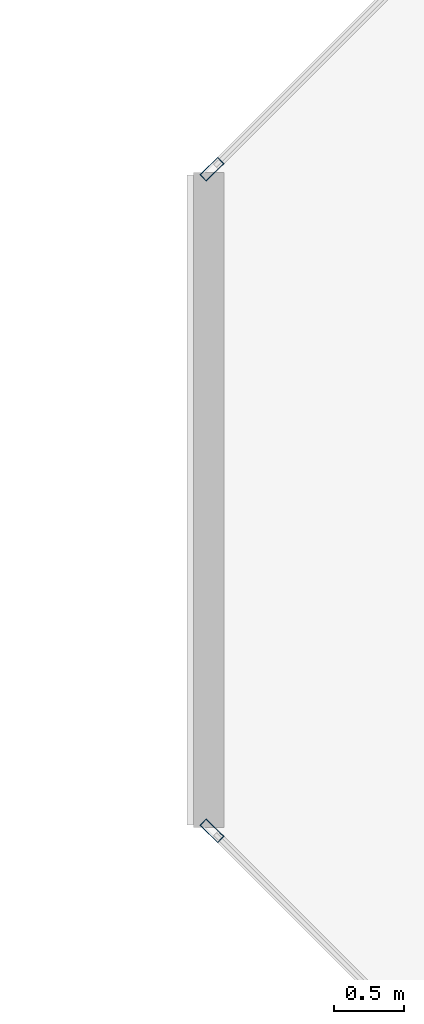
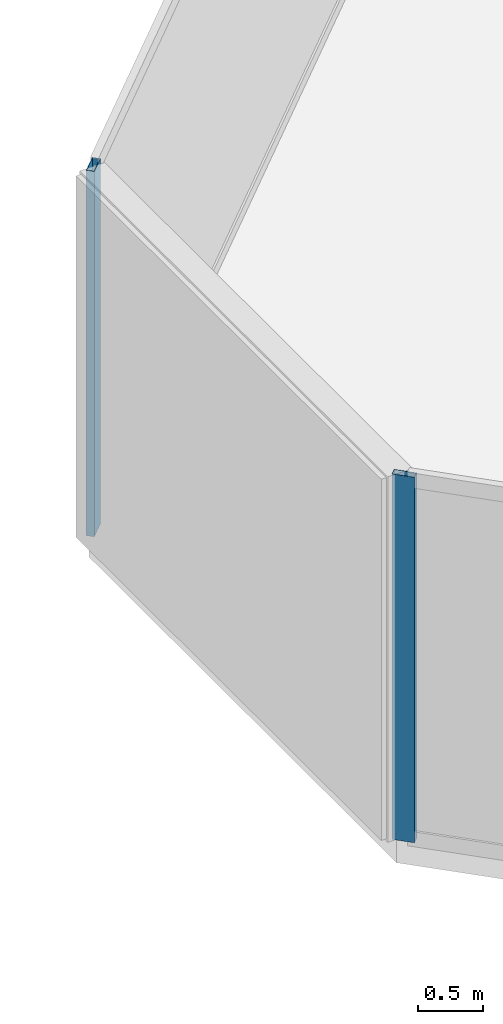
# One storey, part 7 of 28: 2 members, 2 elements without a shape of their own.
"""IFC4 building model written with IfcOpenShell, lengths in metres."""

from ifc_helpers import new_model, si_unit, direction, frame, origin, origin_2d, place, context, subcontext, project, spatial, hollow_rectangle, extrude, material, layer, layer_set, material_profile, profile_set, type_object, element, aggregate, save


model = new_model("IFC4")

# Units and contexts
model_context = context("Model", 3, precision=1e-05, world=origin(), true_north=direction((0.0, 1.0)))
body_context = subcontext(model_context, "Body", "Model", "MODEL_VIEW")
ifc_project = project(units=[si_unit("LENGTHUNIT", "METRE"), si_unit("AREAUNIT", "SQUARE_METRE"), si_unit("VOLUMEUNIT", "CUBIC_METRE"), si_unit("PLANEANGLEUNIT", "RADIAN"), si_unit("MASSUNIT", "GRAM", prefix="KILO")], contexts=[model_context])

# Site, building, storey
site_placement = place(None, origin())
site = spatial("IfcSite", under=ifc_project, at=site_placement, CompositionType="ELEMENT")
building_placement = place(site_placement, origin())
building = spatial("IfcBuilding", under=site, at=building_placement, Name="Tanjung Sevakor Pilgrim Tower", CompositionType="ELEMENT")
storey_placement = place(building_placement, frame((0.0, 0.0, 246.179931640625)))
storey = spatial("IfcBuildingStorey", under=building, at=storey_placement, Name="L69", CompositionType="ELEMENT", Elevation=246.179931640625)

# Curtain wall, member
ifc_material_1 = material(Name="Aluminium 6063-T6 and Low-E Glass", Category="aluminium")
ifc_layer = layer(ifc_material_1, 0.179931640625)
ifc_layer_set = layer_set([ifc_layer], Name="CW-SYS-CHAM")
curtain_wall_type = type_object("IfcCurtainWallType", Name="CW-SYS-CHAM", PredefinedType="NOTDEFINED", material=ifc_layer_set)
curtain_wall_1_placement = place(storey_placement, origin())
curtain_wall_1 = element("IfcCurtainWall", 1, at=curtain_wall_1_placement, inside=storey, type_object=curtain_wall_type, Name="L69 Curtain Wall CW-CHM-L69-EAST-5", PredefinedType="NOTDEFINED")
ifc_material_2 = material(Name="Aluminium 6063-T6", Category="aluminium")
ifc_material_profile = material_profile(ifc_material_2, hollow_rectangle(XDim=0.06494140625, YDim=0.179931640625, WallThickness=0.00390625, at=origin_2d()))
ifc_profile_set = profile_set([ifc_material_profile], Name="Aluminium 6063-T6")
member_type = type_object("IfcMemberType", Name="TYPE-CWM-1", PredefinedType="MULLION", material=ifc_profile_set)
member_1_placement = place(storey_placement, frame((52.23291015625, 35.977294921875, 0.0), z_axis=(0.0, 0.0, 1.0), x_axis=(0.707106781187, -0.707106781187, 0.0)))
member_1 = element("IfcMember", 2, at=member_1_placement, type_object=member_type, Name="CW-CHM mullion 2", PredefinedType="MULLION", context=body_context, shape_type="SweptSolid", body=[
    extrude(hollow_rectangle(XDim=0.06494140625, YDim=0.179931640625, WallThickness=0.00390625, at=origin_2d()), origin(), (0.0, 0.0, 1.0), 3.41015625),
])
aggregate(curtain_wall_1, [member_1])

curtain_wall_2_placement = place(storey_placement, origin())
curtain_wall_2 = element("IfcCurtainWall", 3, at=curtain_wall_2_placement, inside=storey, type_object=curtain_wall_type, Name="L69 Curtain Wall CW-CHM-L69-EAST-7", PredefinedType="NOTDEFINED")
member_2_placement = place(storey_placement, frame((52.23291015625, 31.22265625, 0.0), z_axis=(0.0, 0.0, 1.0), x_axis=(0.707106781187, 0.707106781187, 0.0)))
member_2 = element("IfcMember", 4, at=member_2_placement, type_object=member_type, Name="CW-CHM mullion 1", PredefinedType="MULLION", context=body_context, shape_type="SweptSolid", body=[
    extrude(hollow_rectangle(XDim=0.06494140625, YDim=0.179931640625, WallThickness=0.00390625, at=origin_2d()), origin(), (0.0, 0.0, 1.0), 3.41015625),
])
aggregate(curtain_wall_2, [member_2])

save(model, "model.ifc")
